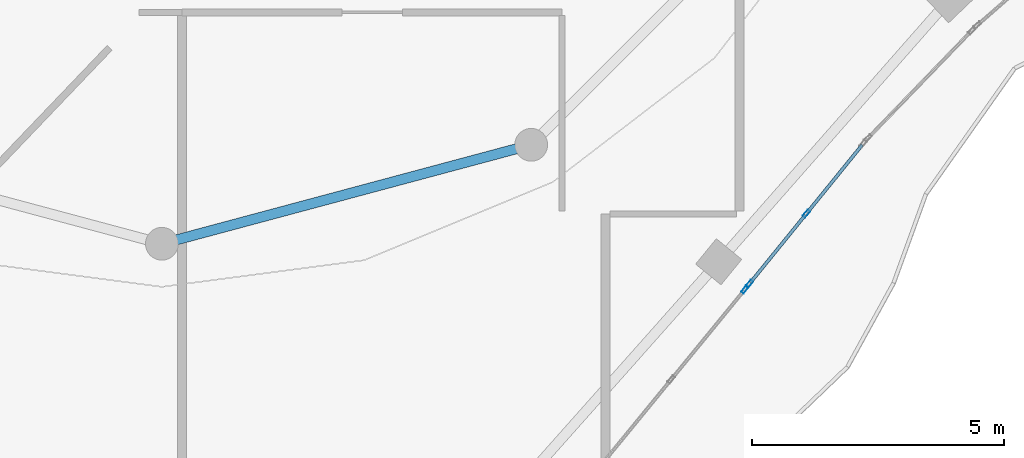
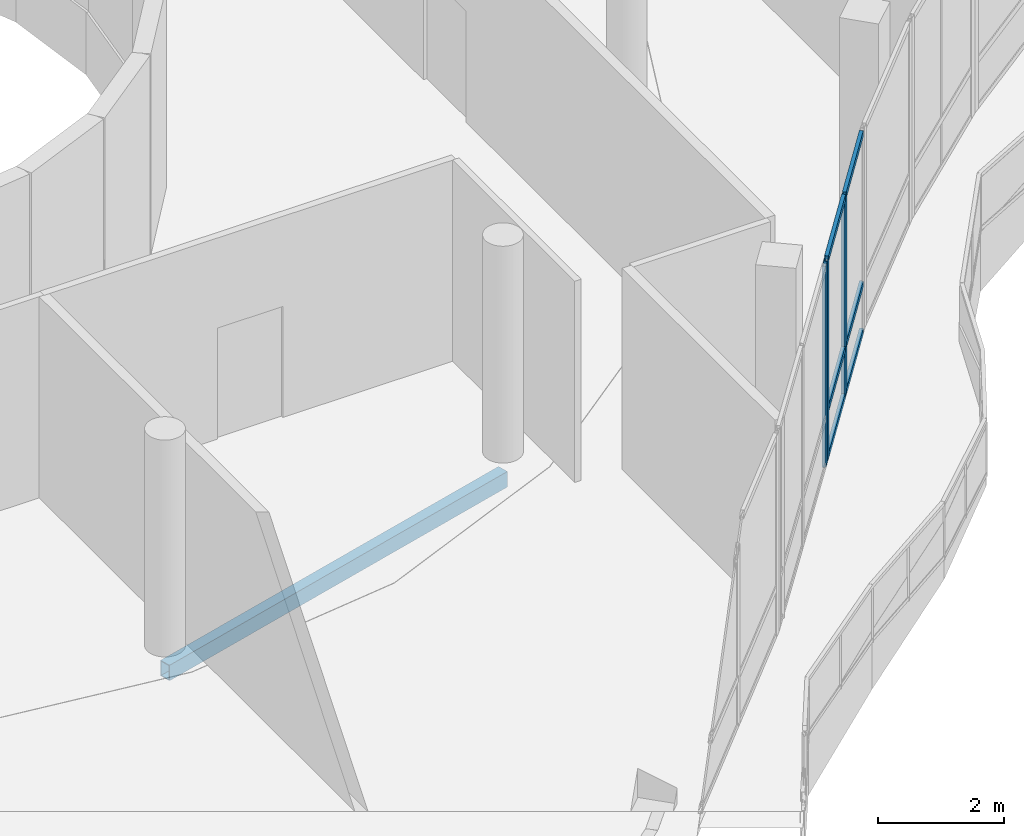
# One storey, part 53 of 184: 9 members, 1 beam, 2 elements without a shape of their own.
"""IFC4 building model written with IfcOpenShell, lengths in metres."""

from ifc_helpers import new_model, si_unit, direction, frame, origin, origin_2d, place, context, subcontext, project, spatial, hollow_rectangle, extrude, material, material_profile, profile_set, type_object, element, aggregate, save


model = new_model("IFC4")

# Units and contexts
model_context = context("Model", 3, precision=1e-05, world=origin(), true_north=direction((0.0, 1.0)))
body_context = subcontext(model_context, "Body", "Model", "MODEL_VIEW")
ifc_project = project(units=[si_unit("LENGTHUNIT", "METRE"), si_unit("AREAUNIT", "SQUARE_METRE"), si_unit("VOLUMEUNIT", "CUBIC_METRE"), si_unit("PLANEANGLEUNIT", "RADIAN"), si_unit("MASSUNIT", "GRAM", prefix="KILO")], contexts=[model_context])

# Site, building, storey
site_placement = place(None, origin())
site = spatial("IfcSite", under=ifc_project, at=site_placement, CompositionType="ELEMENT")
building_placement = place(site_placement, origin())
building = spatial("IfcBuilding", under=site, at=building_placement, Name="Selatvlak General Hospital", CompositionType="ELEMENT")
storey_placement = place(building_placement, frame((0.0, 0.0, 15.0)))
storey = spatial("IfcBuildingStorey", under=building, at=storey_placement, Name="L03", CompositionType="ELEMENT", Elevation=15.0)

# Beam
ifc_material_1 = material(Name="Steel S355", Category="steel")
ifc_material_profile_1 = material_profile(ifc_material_1, hollow_rectangle(XDim=0.199951171875, YDim=0.300048828125, WallThickness=0.011962890625, at=origin_2d()), Name="RHS 300x200x12")
ifc_profile_set_1 = profile_set([ifc_material_profile_1], Name="Steel S355")
beam_type = type_object("IfcBeamType", Name="BM-SP3", PredefinedType="SPANDREL", material=ifc_profile_set_1)
beam_placement = place(storey_placement, frame((98.0, 39.35009765625, -0.489990234375), z_axis=(0.965920028052, 0.25884068345, 0.0), x_axis=(-0.25884068345, 0.965920028052, 0.0)))
element("IfcBeam", 1, at=beam_placement, inside=storey, type_object=beam_type, Name="Beam BMR-L03-1448", PredefinedType="SPANDREL", context=body_context, shape_type="SweptSolid", body=[
    extrude(hollow_rectangle(XDim=0.199951171875, YDim=0.300048828125, WallThickness=0.011962890625, at=origin_2d()), origin(), (0.0, 0.0, 1.0), 7.58349609375),
])

# Curtain wall, members
ifc_material_2 = material(Name="Solar-control Low-E double glazing", Category="glass")
curtain_wall_type_1 = type_object("IfcCurtainWallType", Name="CW-CW-01", PredefinedType="USERDEFINED", material=ifc_material_2)
curtain_wall_1_placement = place(storey_placement, origin())
curtain_wall_1 = element("IfcCurtainWall", 2, at=curtain_wall_1_placement, inside=storey, type_object=curtain_wall_type_1, Name="Glazed facade curtain wall CW-L03-0415", ObjectType="UNITISED CURTAIN WALL", PredefinedType="USERDEFINED")
ifc_material_3 = material(Name="Dark anodised aluminium mullion", Category="aluminium")
ifc_material_profile_2 = material_profile(ifc_material_3, hollow_rectangle(XDim=0.06494140625, YDim=0.159912109375, WallThickness=0.00390625, at=origin_2d()), Name="AL-MUL 65x160x4")
ifc_profile_set_2 = profile_set([ifc_material_profile_2], Name="Dark anodised aluminium mullion")
member_type_1 = type_object("IfcMemberType", Name="CWM-01", PredefinedType="MULLION", material=ifc_profile_set_2)
member_1_placement = place(storey_placement, frame((110.781494140625, 39.945556640625, 0.0), z_axis=(0.0, 0.0, 1.0), x_axis=(0.776323804924, -0.630334315986, 0.0)))
member_1 = element("IfcMember", 3, at=member_1_placement, type_object=member_type_1, Name="CW-01 mullion 2", PredefinedType="MULLION", context=body_context, shape_type="SweptSolid", body=[
    extrude(hollow_rectangle(XDim=0.06494140625, YDim=0.159912109375, WallThickness=0.00390625, at=origin_2d()), origin(), (0.0, 0.0, 1.0), 3.89501953125),
])
member_2_placement = place(storey_placement, frame((109.653564453125, 38.55615234375, 0.0), z_axis=(0.0, 0.0, 1.0), x_axis=(0.776323804924, -0.630334315986, 0.0)))
member_2 = element("IfcMember", 4, at=member_2_placement, type_object=member_type_1, Name="CW-01 mullion 3", PredefinedType="MULLION", context=body_context, shape_type="SweptSolid", body=[
    extrude(hollow_rectangle(XDim=0.06494140625, YDim=0.159912109375, WallThickness=0.00390625, at=origin_2d()), origin(), (0.0, 0.0, 1.0), 3.89501953125),
])

# Curtain wall, member
curtain_wall_type_2 = type_object("IfcCurtainWallType", Name="CW-CW-02", PredefinedType="USERDEFINED", material=ifc_material_2)
curtain_wall_2_placement = place(storey_placement, origin())
curtain_wall_2 = element("IfcCurtainWall", 5, at=curtain_wall_2_placement, inside=storey, type_object=curtain_wall_type_2, Name="Glazed facade curtain wall CW-L03-0416", ObjectType="UNITISED CURTAIN WALL", PredefinedType="USERDEFINED")
member_3_placement = place(storey_placement, frame((109.5625, 38.44287109375, 0.0), z_axis=(0.0, 0.0, 1.0), x_axis=(0.773785702976, -0.633447461018, 0.0)))
member_3 = element("IfcMember", 6, at=member_3_placement, type_object=member_type_1, Name="CW-02 mullion 1", PredefinedType="MULLION", context=body_context, shape_type="SweptSolid", body=[
    extrude(hollow_rectangle(XDim=0.06494140625, YDim=0.159912109375, WallThickness=0.00390625, at=origin_2d()), origin(), (0.0, 0.0, 1.0), 3.89501953125),
])
aggregate(curtain_wall_2, [member_3])

# Member
ifc_material_profile_3 = material_profile(ifc_material_3, hollow_rectangle(XDim=0.06494140625, YDim=0.1201171875, WallThickness=0.00390625, at=origin_2d()), Name="AL-TRN 65x120x4")
ifc_profile_set_3 = profile_set([ifc_material_profile_3], Name="Dark anodised aluminium mullion")
member_type_2 = type_object("IfcMemberType", Name="CWT-01", PredefinedType="USERDEFINED", material=ifc_profile_set_3)
member_4_placement = place(storey_placement, frame((111.888916015625, 41.3095703125, 0.032470703125), z_axis=(-0.630272788322, -0.776373758122, 0.0), x_axis=(0.776373758122, -0.630272788322, 0.0)))
member_4 = element("IfcMember", 7, at=member_4_placement, type_object=member_type_2, Name="CW-01 transom 1.1", ObjectType="TRANSOM", PredefinedType="USERDEFINED", context=body_context, shape_type="SweptSolid", body=[
    extrude(hollow_rectangle(XDim=0.06494140625, YDim=0.1201171875, WallThickness=0.00390625, at=origin_2d()), origin(), (0.0, 0.0, 1.0), 1.724609375),
])

member_5_placement = place(storey_placement, frame((111.888916015625, 41.3095703125, 0.949951171875), z_axis=(-0.630272788322, -0.776373758122, 0.0), x_axis=(0.776373758122, -0.630272788322, 0.0)))
member_5 = element("IfcMember", 8, at=member_5_placement, type_object=member_type_2, Name="CW-01 transom 1.2", ObjectType="TRANSOM", PredefinedType="USERDEFINED", context=body_context, shape_type="SweptSolid", body=[
    extrude(hollow_rectangle(XDim=0.06494140625, YDim=0.1201171875, WallThickness=0.00390625, at=origin_2d()), origin(), (0.0, 0.0, 1.0), 1.724609375),
])

member_6_placement = place(storey_placement, frame((111.888916015625, 41.3095703125, 3.862548828125), z_axis=(-0.630272788322, -0.776373758122, 0.0), x_axis=(0.776373758122, -0.630272788322, 0.0)))
member_6 = element("IfcMember", 9, at=member_6_placement, type_object=member_type_2, Name="CW-01 transom 1.3", ObjectType="TRANSOM", PredefinedType="USERDEFINED", context=body_context, shape_type="SweptSolid", body=[
    extrude(hollow_rectangle(XDim=0.06494140625, YDim=0.1201171875, WallThickness=0.00390625, at=origin_2d()), origin(), (0.0, 0.0, 1.0), 1.724609375),
])

member_7_placement = place(storey_placement, frame((110.760986328125, 39.920166015625, 0.032470703125), z_axis=(-0.630342067833, -0.776317510765, 0.0), x_axis=(0.776317510765, -0.630342067833, 0.0)))
member_7 = element("IfcMember", 10, at=member_7_placement, type_object=member_type_2, Name="CW-01 transom 2.1", ObjectType="TRANSOM", PredefinedType="USERDEFINED", context=body_context, shape_type="SweptSolid", body=[
    extrude(hollow_rectangle(XDim=0.06494140625, YDim=0.1201171875, WallThickness=0.00390625, at=origin_2d()), origin(), (0.0, 0.0, 1.0), 1.724365234375),
])

member_8_placement = place(storey_placement, frame((110.760986328125, 39.920166015625, 0.949951171875), z_axis=(-0.630342067833, -0.776317510765, 0.0), x_axis=(0.776317510765, -0.630342067833, 0.0)))
member_8 = element("IfcMember", 11, at=member_8_placement, type_object=member_type_2, Name="CW-01 transom 2.2", ObjectType="TRANSOM", PredefinedType="USERDEFINED", context=body_context, shape_type="SweptSolid", body=[
    extrude(hollow_rectangle(XDim=0.06494140625, YDim=0.1201171875, WallThickness=0.00390625, at=origin_2d()), origin(), (0.0, 0.0, 1.0), 1.724365234375),
])

member_9_placement = place(storey_placement, frame((110.760986328125, 39.920166015625, 3.862548828125), z_axis=(-0.630342067833, -0.776317510765, 0.0), x_axis=(0.776317510765, -0.630342067833, 0.0)))
member_9 = element("IfcMember", 12, at=member_9_placement, type_object=member_type_2, Name="CW-01 transom 2.3", ObjectType="TRANSOM", PredefinedType="USERDEFINED", context=body_context, shape_type="SweptSolid", body=[
    extrude(hollow_rectangle(XDim=0.06494140625, YDim=0.1201171875, WallThickness=0.00390625, at=origin_2d()), origin(), (0.0, 0.0, 1.0), 1.724365234375),
])

aggregate(curtain_wall_1, [member_1, member_2, member_4, member_5, member_6, member_7, member_8, member_9])

save(model, "model.ifc")
